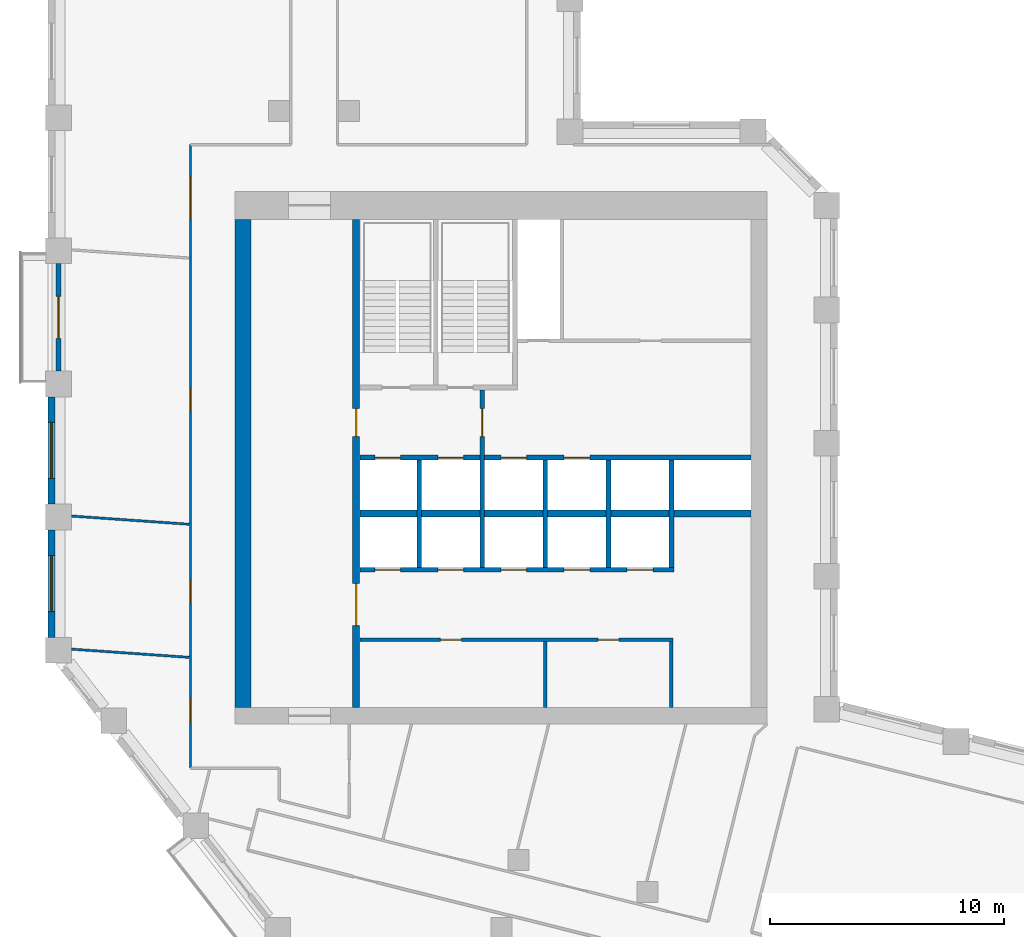
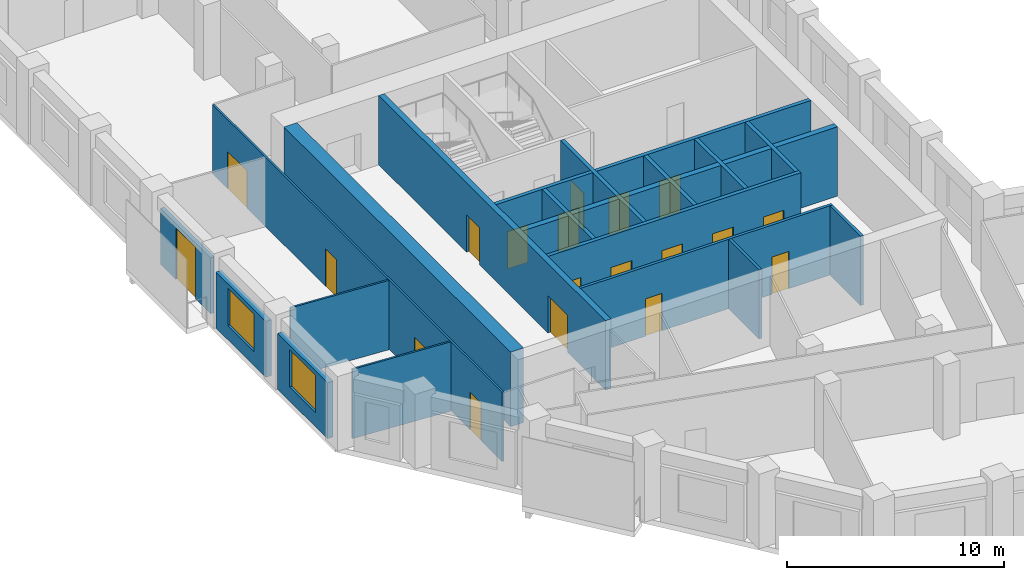
# One storey, part 5 of 10: 19 doors, 19 walls, 2 windows, 21 openings.
"""IFC4 building model written with IfcOpenShell, lengths in metres."""

from ifc_helpers import new_model, si_unit, direction, frame, frame_2d, origin, place, context, subcontext, project, spatial, rectangle, extrude, material, layer, layer_set, type_object, element, fill, save


model = new_model("IFC4")

# Units and contexts
model_context = context("Model", 3, precision=1e-05, world=origin(), true_north=direction((0.0, 1.0)))
body_context = subcontext(model_context, "Body", "Model", "MODEL_VIEW")
ifc_project = project(units=[si_unit("LENGTHUNIT", "METRE"), si_unit("AREAUNIT", "SQUARE_METRE"), si_unit("VOLUMEUNIT", "CUBIC_METRE"), si_unit("PLANEANGLEUNIT", "RADIAN"), si_unit("MASSUNIT", "GRAM", prefix="KILO")], contexts=[model_context])

# Site, building, storey
site_placement = place(None, origin())
site = spatial("IfcSite", under=ifc_project, at=site_placement, CompositionType="ELEMENT")
building_placement = place(site_placement, origin())
building = spatial("IfcBuilding", under=site, at=building_placement, Name="Meshkara Civic Tower", CompositionType="ELEMENT")
storey_placement = place(building_placement, frame((0.0, 0.0, 263.39990234375)))
storey = spatial("IfcBuildingStorey", under=building, at=storey_placement, Name="L60", CompositionType="ELEMENT", Elevation=263.39990234375)

# Wall, openings, doors
ifc_material_1 = material(Name="Blockwork", Category="masonry")
ifc_layer_1 = layer(ifc_material_1, 0.14990234375)
ifc_layer_set_1 = layer_set([ifc_layer_1], Name="Core partition 150")
wall_type_1 = type_object("IfcWallType", Name="Core partition 150", PredefinedType="PARTITIONING", material=ifc_layer_set_1)
wall_1_placement = place(storey_placement, frame((13.35009765625, 17.699951171875, 0.0), z_axis=(0.0, 0.0, 1.0), x_axis=(1.0, 0.0, 0.0)))
wall_1 = element("IfcWall", 1, at=wall_1_placement, inside=storey, type_object=wall_type_1, Name="L60-C005", PredefinedType="PARTITIONING", context=body_context, shape_type="SweptSolid", body=[
    extrude(rectangle(XDim=13.4248046875, YDim=0.14990234375, at=frame_2d((6.71240234375, 0.0))), origin(), (0.0, 0.0, 1.0), 3.900146484375),
])
opening_1_placement = place(wall_1_placement, frame((3.449951171875, 0.0, 0.0)))
opening_1 = element("IfcOpeningElement", 2, at=opening_1_placement, cuts=wall_1, Name="Opening L60-K010", PredefinedType="OPENING", context=body_context, shape_type="SweptSolid", body=[
    extrude(rectangle(XDim=0.89990234375, YDim=2.10009765625, at=frame_2d((0.449951171875, 1.050048828125))), frame((0.0, 0.0849609375, 0.0), z_axis=(0.0, -1.0, 0.0), x_axis=(1.0, 0.0, 0.0)), (0.0, 0.0, 1.0), 0.169921875),
])
opening_2_placement = place(wall_1_placement, frame((10.199951171875, 0.0, 0.0)))
opening_2 = element("IfcOpeningElement", 3, at=opening_2_placement, cuts=wall_1, Name="Opening L60-K011", PredefinedType="OPENING", context=body_context, shape_type="SweptSolid", body=[
    extrude(rectangle(XDim=0.89990234375, YDim=2.10009765625, at=frame_2d((0.449951171875, 1.050048828125))), frame((0.0, 0.0849609375, 0.0), z_axis=(0.0, -1.0, 0.0), x_axis=(1.0, 0.0, 0.0)), (0.0, 0.0, 1.0), 0.169921875),
])
ifc_material_2 = material(Name="Timber door leaf in steel frame", Category="steel")
door_type_1 = type_object("IfcDoorType", Name="Core room door 900", OperationType="SINGLE_SWING_LEFT", PredefinedType="DOOR", material=ifc_material_2)
door_1_placement = place(opening_1_placement, origin())
door_1 = element("IfcDoor", 4, at=door_1_placement, inside=storey, type_object=door_type_1, Name="L60-K010", OperationType="SINGLE_SWING_LEFT", OverallHeight=2.10009765625, OverallWidth=0.89990234375, PredefinedType="DOOR", context=body_context, shape_type="SweptSolid", body=[
    extrude(rectangle(XDim=0.89990234375, YDim=2.10009765625, at=frame_2d((0.449951171875, 1.050048828125))), frame((0.0, 0.02490234375, 0.0), z_axis=(0.0, -1.0, 0.0), x_axis=(1.0, 0.0, 0.0)), (0.0, 0.0, 1.0), 0.050048828125),
])
fill(opening_1, door_1)
door_2_placement = place(opening_2_placement, origin())
door_2 = element("IfcDoor", 5, at=door_2_placement, inside=storey, type_object=door_type_1, Name="L60-K011", OperationType="SINGLE_SWING_LEFT", OverallHeight=2.10009765625, OverallWidth=0.89990234375, PredefinedType="DOOR", context=body_context, shape_type="SweptSolid", body=[
    extrude(rectangle(XDim=0.89990234375, YDim=2.10009765625, at=frame_2d((0.449951171875, 1.050048828125))), frame((0.0, 0.02490234375, 0.0), z_axis=(0.0, -1.0, 0.0), x_axis=(1.0, 0.0, 0.0)), (0.0, 0.0, 1.0), 0.050048828125),
])
fill(opening_2, door_2)

# Walls
for number, where, z_axis, x_axis, name in (
    (6, (21.300048828125, 14.800048828125, 0.0), (0.0, 0.0, 1.0), (0.0, 1.0, 0.0), "L60-C016"),
    (7, (26.699951171875, 14.800048828125, 0.0), (0.0, 0.0, 1.0), (0.0, 1.0, 0.0), "L60-C020"),
):
    element("IfcWall", number, at=place(storey_placement, frame(where, z_axis=z_axis, x_axis=x_axis)), inside=storey, type_object=wall_type_1, Name=name, PredefinedType="PARTITIONING", context=body_context, shape_type="SweptSolid", body=[
        extrude(rectangle(XDim=2.824951171875, YDim=0.14990234375, at=frame_2d((1.41259765625, 0.0))), origin(), (0.0, 0.0, 1.0), 3.900146484375),
    ])
ifc_material_3 = material(Name="Concrete C60", Category="concrete")
ifc_layer_2 = layer(ifc_material_3, 0.699951171875)
ifc_layer_set_2 = layer_set([ifc_layer_2], Name="Core ring wall 700 C60")
wall_type_2 = type_object("IfcWallType", Name="Core ring wall 700 C60", PredefinedType="SHEAR", material=ifc_layer_set_2)
wall_2_placement = place(storey_placement, frame((8.35009765625, 14.800048828125, -0.2998046875), z_axis=(0.0, 0.0, 1.0), x_axis=(0.0, 1.0, 0.0)))
element("IfcWall", 8, at=wall_2_placement, inside=storey, type_object=wall_type_2, Name="L60-C003", PredefinedType="SHEAR", context=body_context, shape_type="SweptSolid", body=[
    extrude(rectangle(XDim=20.89990234375, YDim=0.699951171875, at=frame_2d((10.449951171875, 0.0))), origin(), (0.0, 0.0, 1.0), 4.199951171875),
])
ifc_material_4 = material(Name="Concrete C60", Category="concrete")
ifc_layer_3 = layer(ifc_material_4, 0.300048828125)
ifc_layer_set_3 = layer_set([ifc_layer_3], Name="Core shear wall 300 C60")
wall_type_3 = type_object("IfcWallType", Name="Core shear wall 300 C60", PredefinedType="SHEAR", material=ifc_layer_set_3)
wall_3_placement = place(storey_placement, frame((13.35009765625, 23.10009765625, 0.0), z_axis=(0.0, 0.0, 1.0), x_axis=(1.0, 0.0, 0.0)))
element("IfcWall", 9, at=wall_3_placement, inside=storey, type_object=wall_type_3, Name="L60-C007", PredefinedType="SHEAR", context=body_context, shape_type="SweptSolid", body=[
    extrude(rectangle(XDim=16.75, YDim=0.300048828125, at=frame_2d((8.375, 0.0))), origin(), (0.0, 0.0, 1.0), 3.900146484375),
])

# Wall, openings, doors
wall_4_placement = place(storey_placement, frame((13.199951171875, 14.800048828125, 0.0), z_axis=(0.0, 0.0, 1.0), x_axis=(0.0, 1.0, 0.0)))
wall_4 = element("IfcWall", 10, at=wall_4_placement, inside=storey, type_object=wall_type_3, Name="L60-C011", PredefinedType="SHEAR", context=body_context, shape_type="SweptSolid", body=[
    extrude(rectangle(XDim=20.89990234375, YDim=0.300048828125, at=frame_2d((10.449951171875, 0.0))), origin(), (0.0, 0.0, 1.0), 3.900146484375),
])
opening_3_placement = place(wall_4_placement, frame((3.5, 0.0, 0.0)))
opening_3 = element("IfcOpeningElement", 11, at=opening_3_placement, cuts=wall_4, Name="Opening L60-K016", PredefinedType="OPENING", context=body_context, shape_type="SweptSolid", body=[
    extrude(rectangle(XDim=1.800048828125, YDim=2.10009765625, at=frame_2d((0.89990234375, 1.050048828125))), frame((0.0, 0.159912109375, 0.0), z_axis=(0.0, -1.0, 0.0), x_axis=(1.0, 0.0, 0.0)), (0.0, 0.0, 1.0), 0.320068359375),
])
opening_4_placement = place(wall_4_placement, frame((11.60009765625, 0.0, 0.0)))
opening_4 = element("IfcOpeningElement", 12, at=opening_4_placement, cuts=wall_4, Name="Opening L60-K017", PredefinedType="OPENING", context=body_context, shape_type="SweptSolid", body=[
    extrude(rectangle(XDim=1.199951171875, YDim=2.10009765625, at=frame_2d((0.60009765625, 1.050048828125))), frame((0.0, 0.159912109375, 0.0), z_axis=(0.0, -1.0, 0.0), x_axis=(1.0, 0.0, 0.0)), (0.0, 0.0, 1.0), 0.320068359375),
])
ifc_material_5 = material(Name="Fire-rated door leaf in steel frame", Category="steel")
door_type_2 = type_object("IfcDoorType", Name="Core double door 1800 EI 60", OperationType="DOUBLE_DOOR_SINGLE_SWING", PredefinedType="DOOR", material=ifc_material_5)
door_3_placement = place(opening_3_placement, origin())
door_3 = element("IfcDoor", 13, at=door_3_placement, inside=storey, type_object=door_type_2, Name="L60-K016", OperationType="DOUBLE_DOOR_SINGLE_SWING", OverallHeight=2.10009765625, OverallWidth=1.800048828125, PredefinedType="DOOR", context=body_context, shape_type="SweptSolid", body=[
    extrude(rectangle(XDim=1.800048828125, YDim=2.10009765625, at=frame_2d((0.89990234375, 1.050048828125))), frame((0.0, 0.02490234375, 0.0), z_axis=(0.0, -1.0, 0.0), x_axis=(1.0, 0.0, 0.0)), (0.0, 0.0, 1.0), 0.050048828125),
])
fill(opening_3, door_3)
ifc_material_6 = material(Name="Fire-rated door leaf in steel frame", Category="steel")
door_type_3 = type_object("IfcDoorType", Name="Fire-fighting lobby door 1200 EI 120", OperationType="SINGLE_SWING_LEFT", PredefinedType="DOOR", material=ifc_material_6)
door_4_placement = place(opening_4_placement, origin())
door_4 = element("IfcDoor", 14, at=door_4_placement, inside=storey, type_object=door_type_3, Name="L60-K017", OperationType="SINGLE_SWING_LEFT", OverallHeight=2.10009765625, OverallWidth=1.199951171875, PredefinedType="DOOR", context=body_context, shape_type="SweptSolid", body=[
    extrude(rectangle(XDim=1.199951171875, YDim=2.10009765625, at=frame_2d((0.60009765625, 1.050048828125))), frame((0.0, 0.02490234375, 0.0), z_axis=(0.0, -1.0, 0.0), x_axis=(1.0, 0.0, 0.0)), (0.0, 0.0, 1.0), 0.050048828125),
])
fill(opening_4, door_4)

ifc_material_7 = material(Name="Corridor wall 100")
ifc_layer_4 = layer(ifc_material_7, 0.10009765625)
ifc_layer_set_4 = layer_set([ifc_layer_4], Name="Corridor wall 100")
wall_type_4 = type_object("IfcWallType", Name="Corridor wall 100", PredefinedType="PARTITIONING", material=ifc_layer_set_4)
wall_5_placement = place(storey_placement, frame((6.10009765625, 38.89990234375, 0.0), z_axis=(0.0, 0.0, 1.0), x_axis=(0.0, -1.0, 0.0)))
wall_5 = element("IfcWall", 15, at=wall_5_placement, inside=storey, type_object=wall_type_4, Name="L60-W005", PredefinedType="PARTITIONING", context=body_context, shape_type="SweptSolid", body=[
    extrude(rectangle(XDim=26.699951171875, YDim=0.10009765625, at=frame_2d((13.35009765625, 0.0))), origin(), (0.0, 0.0, 1.0), 3.900146484375),
])
opening_5_placement = place(wall_5_placement, frame((23.736083984375, 0.0, 0.0)))
opening_5 = element("IfcOpeningElement", 16, at=opening_5_placement, cuts=wall_5, Name="Opening L60-D016", PredefinedType="OPENING", context=body_context, shape_type="SweptSolid", body=[
    extrude(rectangle(XDim=1.0, YDim=2.10009765625, at=frame_2d((0.5, 1.050048828125))), frame((0.0, 0.06005859375, 0.0), z_axis=(0.0, -1.0, 0.0), x_axis=(1.0, 0.0, 0.0)), (0.0, 0.0, 1.0), 0.1201171875),
])
opening_6_placement = place(wall_5_placement, frame((18.635986328125, 0.0, 0.0)))
opening_6 = element("IfcOpeningElement", 17, at=opening_6_placement, cuts=wall_5, Name="Opening L60-D018", PredefinedType="OPENING", context=body_context, shape_type="SweptSolid", body=[
    extrude(rectangle(XDim=1.0, YDim=2.10009765625, at=frame_2d((0.5, 1.050048828125))), frame((0.0, 0.06005859375, 0.0), z_axis=(0.0, -1.0, 0.0), x_axis=(1.0, 0.0, 0.0)), (0.0, 0.0, 1.0), 0.1201171875),
])
opening_7_placement = place(wall_5_placement, frame((10.43603515625, 0.0, 0.0)))
opening_7 = element("IfcOpeningElement", 18, at=opening_7_placement, cuts=wall_5, Name="Opening L60-D019", PredefinedType="OPENING", context=body_context, shape_type="SweptSolid", body=[
    extrude(rectangle(XDim=1.0, YDim=2.10009765625, at=frame_2d((0.5, 1.050048828125))), frame((0.0, 0.06005859375, 0.0), z_axis=(0.0, -1.0, 0.0), x_axis=(1.0, 0.0, 0.0)), (0.0, 0.0, 1.0), 0.1201171875),
])
opening_8_placement = place(wall_5_placement, frame((1.3798828125, 0.0, 0.0)))
opening_8 = element("IfcOpeningElement", 19, at=opening_8_placement, cuts=wall_5, Name="Opening L60-D020", PredefinedType="OPENING", context=body_context, shape_type="SweptSolid", body=[
    extrude(rectangle(XDim=1.800048828125, YDim=2.10009765625, at=frame_2d((0.89990234375, 1.050048828125))), frame((0.0, 0.06005859375, 0.0), z_axis=(0.0, -1.0, 0.0), x_axis=(1.0, 0.0, 0.0)), (0.0, 0.0, 1.0), 0.1201171875),
])
ifc_material_8 = material(Name="Door 1000 x 2100")
door_type_4 = type_object("IfcDoorType", Name="Door 1000 x 2100", OperationType="SINGLE_SWING_LEFT", PredefinedType="DOOR", material=ifc_material_8)
door_5_placement = place(opening_5_placement, origin())
door_5 = element("IfcDoor", 20, at=door_5_placement, inside=storey, type_object=door_type_4, Name="L60-D016", OperationType="SINGLE_SWING_RIGHT", OverallHeight=2.10009765625, OverallWidth=1.0, PredefinedType="DOOR", context=body_context, shape_type="SweptSolid", body=[
    extrude(rectangle(XDim=1.0, YDim=2.10009765625, at=frame_2d((0.5, 1.050048828125))), frame((0.0, 0.02490234375, 0.0), z_axis=(0.0, -1.0, 0.0), x_axis=(1.0, 0.0, 0.0)), (0.0, 0.0, 1.0), 0.050048828125),
])
fill(opening_5, door_5)
door_6_placement = place(opening_6_placement, origin())
door_6 = element("IfcDoor", 21, at=door_6_placement, inside=storey, type_object=door_type_4, Name="L60-D018", OperationType="SINGLE_SWING_LEFT", OverallHeight=2.10009765625, OverallWidth=1.0, PredefinedType="DOOR", context=body_context, shape_type="SweptSolid", body=[
    extrude(rectangle(XDim=1.0, YDim=2.10009765625, at=frame_2d((0.5, 1.050048828125))), frame((0.0, 0.02490234375, 0.0), z_axis=(0.0, -1.0, 0.0), x_axis=(1.0, 0.0, 0.0)), (0.0, 0.0, 1.0), 0.050048828125),
])
fill(opening_6, door_6)
door_7_placement = place(opening_7_placement, origin())
door_7 = element("IfcDoor", 22, at=door_7_placement, inside=storey, type_object=door_type_4, Name="L60-D019", OperationType="SINGLE_SWING_LEFT", OverallHeight=2.10009765625, OverallWidth=1.0, PredefinedType="DOOR", context=body_context, shape_type="SweptSolid", body=[
    extrude(rectangle(XDim=1.0, YDim=2.10009765625, at=frame_2d((0.5, 1.050048828125))), frame((0.0, 0.02490234375, 0.0), z_axis=(0.0, -1.0, 0.0), x_axis=(1.0, 0.0, 0.0)), (0.0, 0.0, 1.0), 0.050048828125),
])
fill(opening_7, door_7)
ifc_material_9 = material(Name="Door pair 1800 x 2100")
door_type_5 = type_object("IfcDoorType", Name="Door pair 1800 x 2100", OperationType="SINGLE_SWING_LEFT", PredefinedType="DOOR", material=ifc_material_9)
door_8_placement = place(opening_8_placement, origin())
door_8 = element("IfcDoor", 23, at=door_8_placement, inside=storey, type_object=door_type_5, Name="L60-D020", OperationType="DOUBLE_DOOR_SINGLE_SWING", OverallHeight=2.10009765625, OverallWidth=1.800048828125, PredefinedType="DOOR", context=body_context, shape_type="SweptSolid", body=[
    extrude(rectangle(XDim=1.800048828125, YDim=2.10009765625, at=frame_2d((0.89990234375, 1.050048828125))), frame((0.0, 0.02490234375, 0.0), z_axis=(0.0, -1.0, 0.0), x_axis=(1.0, 0.0, 0.0)), (0.0, 0.0, 1.0), 0.050048828125),
])
fill(opening_8, door_8)

# Wall, opening, window
ifc_material_10 = material(Name="Insulated infill panel with bronze anodised aluminium cladding", Category="aluminium")
ifc_layer_5 = layer(ifc_material_10, 0.300048828125)
ifc_layer_set_5 = layer_set([ifc_layer_5], Name="EXTERNAL INFILL WALL 300")
wall_type_5 = type_object("IfcWallType", Name="EXTERNAL INFILL WALL 300", PredefinedType="SOLIDWALL", material=ifc_layer_set_5)
wall_6_placement = place(storey_placement, frame((0.14990234375, 28.10498046875, 0.0), z_axis=(0.0, 0.0, 1.0), x_axis=(0.0, -1.0, 0.0)))
wall_6 = element("IfcWall", 24, at=wall_6_placement, inside=storey, type_object=wall_type_5, Name="External wall", PredefinedType="SOLIDWALL", context=body_context, shape_type="SweptSolid", body=[
    extrude(rectangle(XDim=4.60009765625, YDim=0.300048828125, at=frame_2d((2.300048828125, 0.0))), origin(), (0.0, 0.0, 1.0), 3.150146484375),
])
opening_9_placement = place(wall_6_placement, frame((1.10009765625, 0.0, 0.800048828125)))
opening_9 = element("IfcOpeningElement", 25, at=opening_9_placement, cuts=wall_6, Name="Opening W7", PredefinedType="OPENING", context=body_context, shape_type="SweptSolid", body=[
    extrude(rectangle(XDim=2.39990234375, YDim=2.10009765625, at=frame_2d((1.199951171875, 1.050048828125))), frame((0.0, 0.159912109375, 0.0), z_axis=(0.0, -1.0, 0.0), x_axis=(1.0, 0.0, 0.0)), (0.0, 0.0, 1.0), 0.320068359375),
])
ifc_material_11 = material(Name="Tinted double glazing", Category="glass")
window_type = type_object("IfcWindowType", Name="WINDOW 2400x2100", PartitioningType="DOUBLE_PANEL_VERTICAL", PredefinedType="WINDOW", material=ifc_material_11)
window_1_placement = place(opening_9_placement, origin())
window_1 = element("IfcWindow", 26, at=window_1_placement, inside=storey, type_object=window_type, Name="Window", OverallHeight=2.10009765625, OverallWidth=2.39990234375, PartitioningType="DOUBLE_PANEL_VERTICAL", PredefinedType="WINDOW", context=body_context, shape_type="SweptSolid", body=[
    extrude(rectangle(XDim=2.39990234375, YDim=2.10009765625, at=frame_2d((1.199951171875, 1.050048828125))), frame((0.0, 0.030029296875, 0.0), z_axis=(0.0, -1.0, 0.0), x_axis=(1.0, 0.0, 0.0)), (0.0, 0.0, 1.0), 0.06005859375),
])
fill(opening_9, window_1)

wall_7_placement = place(storey_placement, frame((0.14990234375, 22.405029296875, 0.0), z_axis=(0.0, 0.0, 1.0), x_axis=(0.0, -1.0, 0.0)))
wall_7 = element("IfcWall", 27, at=wall_7_placement, inside=storey, type_object=wall_type_5, Name="External wall", PredefinedType="SOLIDWALL", context=body_context, shape_type="SweptSolid", body=[
    extrude(rectangle(XDim=4.60009765625, YDim=0.300048828125, at=frame_2d((2.300048828125, 0.0))), origin(), (0.0, 0.0, 1.0), 3.150146484375),
])
opening_10_placement = place(wall_7_placement, frame((1.10009765625, 0.0, 0.800048828125)))
opening_10 = element("IfcOpeningElement", 28, at=opening_10_placement, cuts=wall_7, Name="Opening W7", PredefinedType="OPENING", context=body_context, shape_type="SweptSolid", body=[
    extrude(rectangle(XDim=2.39990234375, YDim=2.10009765625, at=frame_2d((1.199951171875, 1.050048828125))), frame((0.0, 0.159912109375, 0.0), z_axis=(0.0, -1.0, 0.0), x_axis=(1.0, 0.0, 0.0)), (0.0, 0.0, 1.0), 0.320068359375),
])
window_2_placement = place(opening_10_placement, origin())
window_2 = element("IfcWindow", 29, at=window_2_placement, inside=storey, type_object=window_type, Name="Window", OverallHeight=2.10009765625, OverallWidth=2.39990234375, PartitioningType="DOUBLE_PANEL_VERTICAL", PredefinedType="WINDOW", context=body_context, shape_type="SweptSolid", body=[
    extrude(rectangle(XDim=2.39990234375, YDim=2.10009765625, at=frame_2d((1.199951171875, 1.050048828125))), frame((0.0, 0.030029296875, 0.0), z_axis=(0.0, -1.0, 0.0), x_axis=(1.0, 0.0, 0.0)), (0.0, 0.0, 1.0), 0.06005859375),
])
fill(opening_10, window_2)

# Wall, opening, door
ifc_material_12 = material(Name="Insulated infill panel with bronze anodised aluminium cladding", Category="aluminium")
ifc_layer_6 = layer(ifc_material_12, 0.199951171875)
ifc_layer_set_6 = layer_set([ifc_layer_6], Name="LOGGIA BACK WALL 200")
wall_type_6 = type_object("IfcWallType", Name="LOGGIA BACK WALL 200", PredefinedType="SOLIDWALL", material=ifc_layer_set_6)
wall_8_placement = place(storey_placement, frame((0.449951171875, 33.804931640625, 0.0), z_axis=(0.0, 0.0, 1.0), x_axis=(0.0, -1.0, 0.0)))
wall_8 = element("IfcWall", 30, at=wall_8_placement, inside=storey, type_object=wall_type_6, Name="Loggia wall", PredefinedType="SOLIDWALL", context=body_context, shape_type="SweptSolid", body=[
    extrude(rectangle(XDim=4.598876953125, YDim=0.199951171875, at=frame_2d((2.29931640625, 0.0))), origin(), (0.0, 0.0, 1.0), 3.150146484375),
])
opening_11_placement = place(wall_8_placement, frame((1.39990234375, 0.0, 0.0)))
opening_11 = element("IfcOpeningElement", 31, at=opening_11_placement, cuts=wall_8, Name="Opening L60-L001", PredefinedType="OPENING", context=body_context, shape_type="SweptSolid", body=[
    extrude(rectangle(XDim=1.800048828125, YDim=2.89990234375, at=frame_2d((0.89990234375, 1.449951171875))), frame((0.0, 0.10986328125, 0.0), z_axis=(0.0, -1.0, 0.0), x_axis=(1.0, 0.0, 0.0)), (0.0, 0.0, 1.0), 0.219970703125),
])
ifc_material_13 = material(Name="Tinted double glazing", Category="glass")
door_type_6 = type_object("IfcDoorType", Name="LOGGIA DOOR 1800x2900", OperationType="DOUBLE_DOOR_SINGLE_SWING", PredefinedType="DOOR", material=ifc_material_13)
door_9_placement = place(opening_11_placement, origin())
door_9 = element("IfcDoor", 32, at=door_9_placement, inside=storey, type_object=door_type_6, Name="L60-L001", OperationType="DOUBLE_DOOR_SINGLE_SWING", OverallHeight=2.89990234375, OverallWidth=1.800048828125, PredefinedType="DOOR", context=body_context, shape_type="SweptSolid", body=[
    extrude(rectangle(XDim=1.800048828125, YDim=2.89990234375, at=frame_2d((0.89990234375, 1.449951171875))), frame((0.0, 0.02490234375, 0.0), z_axis=(0.0, -1.0, 0.0), x_axis=(1.0, 0.0, 0.0)), (0.0, 0.0, 1.0), 0.050048828125),
])
fill(opening_11, door_9)

# Walls
ifc_material_14 = material(Name="Partition 100")
ifc_layer_7 = layer(ifc_material_14, 0.10009765625)
ifc_layer_set_7 = layer_set([ifc_layer_7], Name="Partition 100")
wall_type_7 = type_object("IfcWallType", Name="Partition 100", PredefinedType="PARTITIONING", material=ifc_layer_set_7)
for number, where, z_axis, x_axis, name in (
    (33, (6.047119140625, 16.944091796875, 0.0), (0.0, 0.0, 1.0), (-0.9975626968, 0.06977582642, 0.0), "L60-W036"),
    (34, (6.047119140625, 22.64404296875, 0.0), (0.0, 0.0, 1.0), (-0.9975626968, 0.06977582642, 0.0), "L60-W037"),
):
    element("IfcWall", number, at=place(storey_placement, frame(where, z_axis=z_axis, x_axis=x_axis)), inside=storey, type_object=wall_type_7, Name=name, PredefinedType="PARTITIONING", context=body_context, shape_type="SweptSolid", body=[
        extrude(rectangle(XDim=5.0595703125, YDim=0.10009765625, at=frame_2d((2.52978515625, 0.0))), origin(), (0.0, 0.0, 1.0), 3.900146484375),
    ])

# Wall, openings, doors
ifc_material_15 = material(Name="Concrete C40/50", Category="concrete")
ifc_layer_8 = layer(ifc_material_15, 0.199951171875)
ifc_layer_set_8 = layer_set([ifc_layer_8], Name="Shaft wall 200 C40/50")
wall_type_8 = type_object("IfcWallType", Name="Shaft wall 200 C40/50", PredefinedType="SOLIDWALL", material=ifc_layer_set_8)
wall_9_placement = place(storey_placement, frame((13.35009765625, 20.699951171875, 0.0), z_axis=(0.0, 0.0, 1.0), x_axis=(1.0, 0.0, 0.0)))
wall_9 = element("IfcWall", 35, at=wall_9_placement, inside=storey, type_object=wall_type_8, Name="L60-C006", PredefinedType="SOLIDWALL", context=body_context, shape_type="SweptSolid", body=[
    extrude(rectangle(XDim=13.449951171875, YDim=0.199951171875, at=frame_2d((6.72509765625, 0.0))), origin(), (0.0, 0.0, 1.0), 3.900146484375),
])
opening_12_placement = place(wall_9_placement, frame((0.64990234375, 0.0, 0.0)))
opening_12 = element("IfcOpeningElement", 36, at=opening_12_placement, cuts=wall_9, Name="Opening L60-K001", PredefinedType="OPENING", context=body_context, shape_type="SweptSolid", body=[
    extrude(rectangle(XDim=1.10009765625, YDim=2.10009765625, at=frame_2d((0.550048828125, 1.050048828125))), frame((0.0, 0.10986328125, 0.0), z_axis=(0.0, -1.0, 0.0), x_axis=(1.0, 0.0, 0.0)), (0.0, 0.0, 1.0), 0.219970703125),
])
opening_13_placement = place(wall_9_placement, frame((3.35009765625, 0.0, 0.0)))
opening_13 = element("IfcOpeningElement", 37, at=opening_13_placement, cuts=wall_9, Name="Opening L60-K002", PredefinedType="OPENING", context=body_context, shape_type="SweptSolid", body=[
    extrude(rectangle(XDim=1.10009765625, YDim=2.10009765625, at=frame_2d((0.550048828125, 1.050048828125))), frame((0.0, 0.10986328125, 0.0), z_axis=(0.0, -1.0, 0.0), x_axis=(1.0, 0.0, 0.0)), (0.0, 0.0, 1.0), 0.219970703125),
])
opening_14_placement = place(wall_9_placement, frame((6.050048828125, 0.0, 0.0)))
opening_14 = element("IfcOpeningElement", 38, at=opening_14_placement, cuts=wall_9, Name="Opening L60-K003", PredefinedType="OPENING", context=body_context, shape_type="SweptSolid", body=[
    extrude(rectangle(XDim=1.10009765625, YDim=2.10009765625, at=frame_2d((0.550048828125, 1.050048828125))), frame((0.0, 0.10986328125, 0.0), z_axis=(0.0, -1.0, 0.0), x_axis=(1.0, 0.0, 0.0)), (0.0, 0.0, 1.0), 0.219970703125),
])
opening_15_placement = place(wall_9_placement, frame((8.75, 0.0, 0.0)))
opening_15 = element("IfcOpeningElement", 39, at=opening_15_placement, cuts=wall_9, Name="Opening L60-K004", PredefinedType="OPENING", context=body_context, shape_type="SweptSolid", body=[
    extrude(rectangle(XDim=1.10009765625, YDim=2.10009765625, at=frame_2d((0.550048828125, 1.050048828125))), frame((0.0, 0.10986328125, 0.0), z_axis=(0.0, -1.0, 0.0), x_axis=(1.0, 0.0, 0.0)), (0.0, 0.0, 1.0), 0.219970703125),
])
opening_16_placement = place(wall_9_placement, frame((11.449951171875, 0.0, 0.0)))
opening_16 = element("IfcOpeningElement", 40, at=opening_16_placement, cuts=wall_9, Name="Opening L60-K005", PredefinedType="OPENING", context=body_context, shape_type="SweptSolid", body=[
    extrude(rectangle(XDim=1.10009765625, YDim=2.10009765625, at=frame_2d((0.550048828125, 1.050048828125))), frame((0.0, 0.10986328125, 0.0), z_axis=(0.0, -1.0, 0.0), x_axis=(1.0, 0.0, 0.0)), (0.0, 0.0, 1.0), 0.219970703125),
])
ifc_material_16 = material(Name="Stainless steel landing door", Category="steel")
door_type_7 = type_object("IfcDoorType", Name="Lift landing door 1100", OperationType="SLIDING_TO_LEFT", PredefinedType="DOOR", material=ifc_material_16)
door_10_placement = place(opening_12_placement, origin())
door_10 = element("IfcDoor", 41, at=door_10_placement, inside=storey, type_object=door_type_7, Name="L60-K001", OperationType="SLIDING_TO_LEFT", OverallHeight=2.10009765625, OverallWidth=1.10009765625, PredefinedType="DOOR", context=body_context, shape_type="SweptSolid", body=[
    extrude(rectangle(XDim=1.10009765625, YDim=2.10009765625, at=frame_2d((0.550048828125, 1.050048828125))), frame((0.0, 0.02490234375, 0.0), z_axis=(0.0, -1.0, 0.0), x_axis=(1.0, 0.0, 0.0)), (0.0, 0.0, 1.0), 0.050048828125),
])
fill(opening_12, door_10)
door_11_placement = place(opening_13_placement, origin())
door_11 = element("IfcDoor", 42, at=door_11_placement, inside=storey, type_object=door_type_7, Name="L60-K002", OperationType="SLIDING_TO_LEFT", OverallHeight=2.10009765625, OverallWidth=1.10009765625, PredefinedType="DOOR", context=body_context, shape_type="SweptSolid", body=[
    extrude(rectangle(XDim=1.10009765625, YDim=2.10009765625, at=frame_2d((0.550048828125, 1.050048828125))), frame((0.0, 0.02490234375, 0.0), z_axis=(0.0, -1.0, 0.0), x_axis=(1.0, 0.0, 0.0)), (0.0, 0.0, 1.0), 0.050048828125),
])
fill(opening_13, door_11)
door_12_placement = place(opening_14_placement, origin())
door_12 = element("IfcDoor", 43, at=door_12_placement, inside=storey, type_object=door_type_7, Name="L60-K003", OperationType="SLIDING_TO_LEFT", OverallHeight=2.10009765625, OverallWidth=1.10009765625, PredefinedType="DOOR", context=body_context, shape_type="SweptSolid", body=[
    extrude(rectangle(XDim=1.10009765625, YDim=2.10009765625, at=frame_2d((0.550048828125, 1.050048828125))), frame((0.0, 0.02490234375, 0.0), z_axis=(0.0, -1.0, 0.0), x_axis=(1.0, 0.0, 0.0)), (0.0, 0.0, 1.0), 0.050048828125),
])
fill(opening_14, door_12)
door_13_placement = place(opening_15_placement, origin())
door_13 = element("IfcDoor", 44, at=door_13_placement, inside=storey, type_object=door_type_7, Name="L60-K004", OperationType="SLIDING_TO_LEFT", OverallHeight=2.10009765625, OverallWidth=1.10009765625, PredefinedType="DOOR", context=body_context, shape_type="SweptSolid", body=[
    extrude(rectangle(XDim=1.10009765625, YDim=2.10009765625, at=frame_2d((0.550048828125, 1.050048828125))), frame((0.0, 0.02490234375, 0.0), z_axis=(0.0, -1.0, 0.0), x_axis=(1.0, 0.0, 0.0)), (0.0, 0.0, 1.0), 0.050048828125),
])
fill(opening_15, door_13)
door_14_placement = place(opening_16_placement, origin())
door_14 = element("IfcDoor", 45, at=door_14_placement, inside=storey, type_object=door_type_7, Name="L60-K005", OperationType="SLIDING_TO_LEFT", OverallHeight=2.10009765625, OverallWidth=1.10009765625, PredefinedType="DOOR", context=body_context, shape_type="SweptSolid", body=[
    extrude(rectangle(XDim=1.10009765625, YDim=2.10009765625, at=frame_2d((0.550048828125, 1.050048828125))), frame((0.0, 0.02490234375, 0.0), z_axis=(0.0, -1.0, 0.0), x_axis=(1.0, 0.0, 0.0)), (0.0, 0.0, 1.0), 0.050048828125),
])
fill(opening_16, door_14)

wall_10_placement = place(storey_placement, frame((13.35009765625, 25.5, 0.0), z_axis=(0.0, 0.0, 1.0), x_axis=(1.0, 0.0, 0.0)))
wall_10 = element("IfcWall", 46, at=wall_10_placement, inside=storey, type_object=wall_type_8, Name="L60-C008", PredefinedType="SOLIDWALL", context=body_context, shape_type="SweptSolid", body=[
    extrude(rectangle(XDim=16.75, YDim=0.199951171875, at=frame_2d((8.375, 0.0))), origin(), (0.0, 0.0, 1.0), 3.900146484375),
])
opening_17_placement = place(wall_10_placement, frame((0.64990234375, 0.0, 0.0)))
opening_17 = element("IfcOpeningElement", 47, at=opening_17_placement, cuts=wall_10, Name="Opening L60-K006", PredefinedType="OPENING", context=body_context, shape_type="SweptSolid", body=[
    extrude(rectangle(XDim=1.10009765625, YDim=2.10009765625, at=frame_2d((0.550048828125, 1.050048828125))), frame((0.0, 0.10986328125, 0.0), z_axis=(0.0, -1.0, 0.0), x_axis=(1.0, 0.0, 0.0)), (0.0, 0.0, 1.0), 0.219970703125),
])
opening_18_placement = place(wall_10_placement, frame((3.35009765625, 0.0, 0.0)))
opening_18 = element("IfcOpeningElement", 48, at=opening_18_placement, cuts=wall_10, Name="Opening L60-K007", PredefinedType="OPENING", context=body_context, shape_type="SweptSolid", body=[
    extrude(rectangle(XDim=1.10009765625, YDim=2.10009765625, at=frame_2d((0.550048828125, 1.050048828125))), frame((0.0, 0.10986328125, 0.0), z_axis=(0.0, -1.0, 0.0), x_axis=(1.0, 0.0, 0.0)), (0.0, 0.0, 1.0), 0.219970703125),
])
opening_19_placement = place(wall_10_placement, frame((6.050048828125, 0.0, 0.0)))
opening_19 = element("IfcOpeningElement", 49, at=opening_19_placement, cuts=wall_10, Name="Opening L60-K008", PredefinedType="OPENING", context=body_context, shape_type="SweptSolid", body=[
    extrude(rectangle(XDim=1.10009765625, YDim=2.10009765625, at=frame_2d((0.550048828125, 1.050048828125))), frame((0.0, 0.10986328125, 0.0), z_axis=(0.0, -1.0, 0.0), x_axis=(1.0, 0.0, 0.0)), (0.0, 0.0, 1.0), 0.219970703125),
])
opening_20_placement = place(wall_10_placement, frame((8.75, 0.0, 0.0)))
opening_20 = element("IfcOpeningElement", 50, at=opening_20_placement, cuts=wall_10, Name="Opening L60-K009", PredefinedType="OPENING", context=body_context, shape_type="SweptSolid", body=[
    extrude(rectangle(XDim=1.10009765625, YDim=2.10009765625, at=frame_2d((0.550048828125, 1.050048828125))), frame((0.0, 0.10986328125, 0.0), z_axis=(0.0, -1.0, 0.0), x_axis=(1.0, 0.0, 0.0)), (0.0, 0.0, 1.0), 0.219970703125),
])
door_15_placement = place(opening_17_placement, origin())
door_15 = element("IfcDoor", 51, at=door_15_placement, inside=storey, type_object=door_type_7, Name="L60-K006", OperationType="SLIDING_TO_LEFT", OverallHeight=2.10009765625, OverallWidth=1.10009765625, PredefinedType="DOOR", context=body_context, shape_type="SweptSolid", body=[
    extrude(rectangle(XDim=1.10009765625, YDim=2.10009765625, at=frame_2d((0.550048828125, 1.050048828125))), frame((0.0, 0.02490234375, 0.0), z_axis=(0.0, -1.0, 0.0), x_axis=(1.0, 0.0, 0.0)), (0.0, 0.0, 1.0), 0.050048828125),
])
fill(opening_17, door_15)
door_16_placement = place(opening_18_placement, origin())
door_16 = element("IfcDoor", 52, at=door_16_placement, inside=storey, type_object=door_type_7, Name="L60-K007", OperationType="SLIDING_TO_LEFT", OverallHeight=2.10009765625, OverallWidth=1.10009765625, PredefinedType="DOOR", context=body_context, shape_type="SweptSolid", body=[
    extrude(rectangle(XDim=1.10009765625, YDim=2.10009765625, at=frame_2d((0.550048828125, 1.050048828125))), frame((0.0, 0.02490234375, 0.0), z_axis=(0.0, -1.0, 0.0), x_axis=(1.0, 0.0, 0.0)), (0.0, 0.0, 1.0), 0.050048828125),
])
fill(opening_18, door_16)
door_17_placement = place(opening_19_placement, origin())
door_17 = element("IfcDoor", 53, at=door_17_placement, inside=storey, type_object=door_type_7, Name="L60-K008", OperationType="SLIDING_TO_LEFT", OverallHeight=2.10009765625, OverallWidth=1.10009765625, PredefinedType="DOOR", context=body_context, shape_type="SweptSolid", body=[
    extrude(rectangle(XDim=1.10009765625, YDim=2.10009765625, at=frame_2d((0.550048828125, 1.050048828125))), frame((0.0, 0.02490234375, 0.0), z_axis=(0.0, -1.0, 0.0), x_axis=(1.0, 0.0, 0.0)), (0.0, 0.0, 1.0), 0.050048828125),
])
fill(opening_19, door_17)
door_18_placement = place(opening_20_placement, origin())
door_18 = element("IfcDoor", 54, at=door_18_placement, inside=storey, type_object=door_type_7, Name="L60-K009", OperationType="SLIDING_TO_LEFT", OverallHeight=2.10009765625, OverallWidth=1.10009765625, PredefinedType="DOOR", context=body_context, shape_type="SweptSolid", body=[
    extrude(rectangle(XDim=1.10009765625, YDim=2.10009765625, at=frame_2d((0.550048828125, 1.050048828125))), frame((0.0, 0.02490234375, 0.0), z_axis=(0.0, -1.0, 0.0), x_axis=(1.0, 0.0, 0.0)), (0.0, 0.0, 1.0), 0.050048828125),
])
fill(opening_20, door_18)

# Wall
wall_11_placement = place(storey_placement, frame((15.89990234375, 20.800048828125, 0.0), z_axis=(0.0, 0.0, 1.0), x_axis=(0.0, 1.0, 0.0)))
element("IfcWall", 55, at=wall_11_placement, inside=storey, type_object=wall_type_8, Name="L60-C012", PredefinedType="SOLIDWALL", context=body_context, shape_type="SweptSolid", body=[
    extrude(rectangle(XDim=4.599853515625, YDim=0.199951171875, at=frame_2d((2.2998046875, 0.0))), origin(), (0.0, 0.0, 1.0), 3.900146484375),
])

# Wall, opening, door
wall_12_placement = place(storey_placement, frame((18.60009765625, 20.800048828125, 0.0), z_axis=(0.0, 0.0, 1.0), x_axis=(0.0, 1.0, 0.0)))
wall_12 = element("IfcWall", 56, at=wall_12_placement, inside=storey, type_object=wall_type_8, Name="L60-C014", PredefinedType="SOLIDWALL", context=body_context, shape_type="SweptSolid", body=[
    extrude(rectangle(XDim=7.599853515625, YDim=0.199951171875, at=frame_2d((3.7998046875, 0.0))), origin(), (0.0, 0.0, 1.0), 3.900146484375),
])
opening_21_placement = place(wall_12_placement, frame((5.60009765625, 0.0, 0.0)))
opening_21 = element("IfcOpeningElement", 57, at=opening_21_placement, cuts=wall_12, Name="Opening L60-K018", PredefinedType="OPENING", context=body_context, shape_type="SweptSolid", body=[
    extrude(rectangle(XDim=1.199951171875, YDim=2.10009765625, at=frame_2d((0.60009765625, 1.050048828125))), frame((0.0, 0.10986328125, 0.0), z_axis=(0.0, -1.0, 0.0), x_axis=(1.0, 0.0, 0.0)), (0.0, 0.0, 1.0), 0.219970703125),
])
door_19_placement = place(opening_21_placement, origin())
door_19 = element("IfcDoor", 58, at=door_19_placement, inside=storey, type_object=door_type_3, Name="L60-K018", OperationType="SINGLE_SWING_RIGHT", OverallHeight=2.10009765625, OverallWidth=1.199951171875, PredefinedType="DOOR", context=body_context, shape_type="SweptSolid", body=[
    extrude(rectangle(XDim=1.199951171875, YDim=2.10009765625, at=frame_2d((0.60009765625, 1.050048828125))), frame((0.0, 0.02490234375, 0.0), z_axis=(0.0, -1.0, 0.0), x_axis=(1.0, 0.0, 0.0)), (0.0, 0.0, 1.0), 0.050048828125),
])
fill(opening_21, door_19)

# Walls
for number, where, z_axis, x_axis, name in (
    (59, (21.300048828125, 20.800048828125, 0.0), (0.0, 0.0, 1.0), (0.0, 1.0, 0.0), "L60-C017"),
    (60, (24.0, 20.800048828125, 0.0), (0.0, 0.0, 1.0), (0.0, 1.0, 0.0), "L60-C019"),
    (61, (26.699951171875, 20.800048828125, 0.0), (0.0, 0.0, 1.0), (0.0, 1.0, 0.0), "L60-C021"),
):
    element("IfcWall", number, at=place(storey_placement, frame(where, z_axis=z_axis, x_axis=x_axis)), inside=storey, type_object=wall_type_8, Name=name, PredefinedType="SOLIDWALL", context=body_context, shape_type="SweptSolid", body=[
        extrude(rectangle(XDim=4.599853515625, YDim=0.199951171875, at=frame_2d((2.2998046875, 0.0))), origin(), (0.0, 0.0, 1.0), 3.900146484375),
    ])

save(model, "model.ifc")
